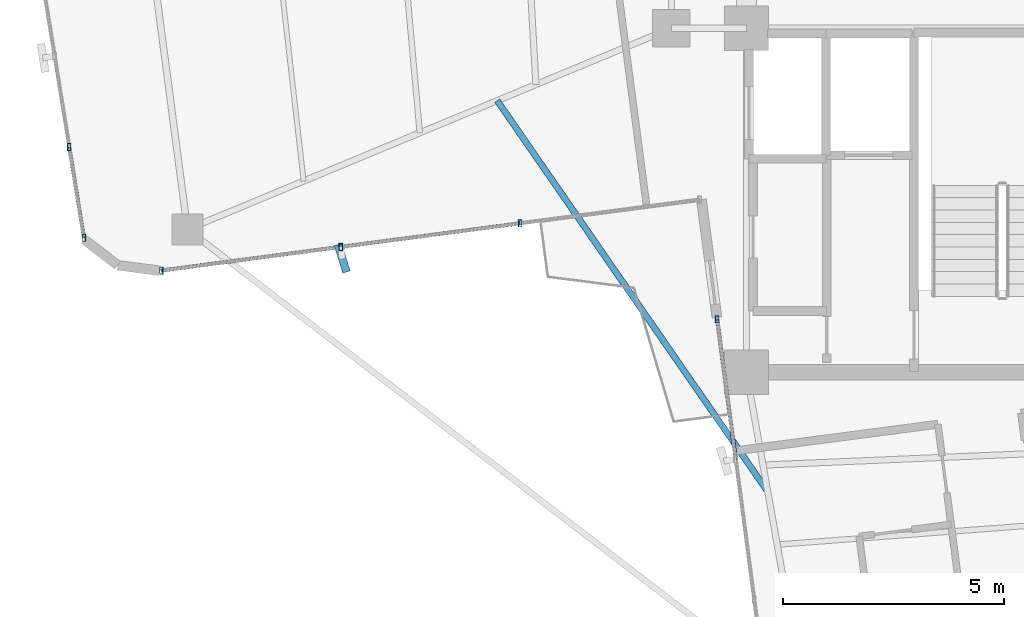
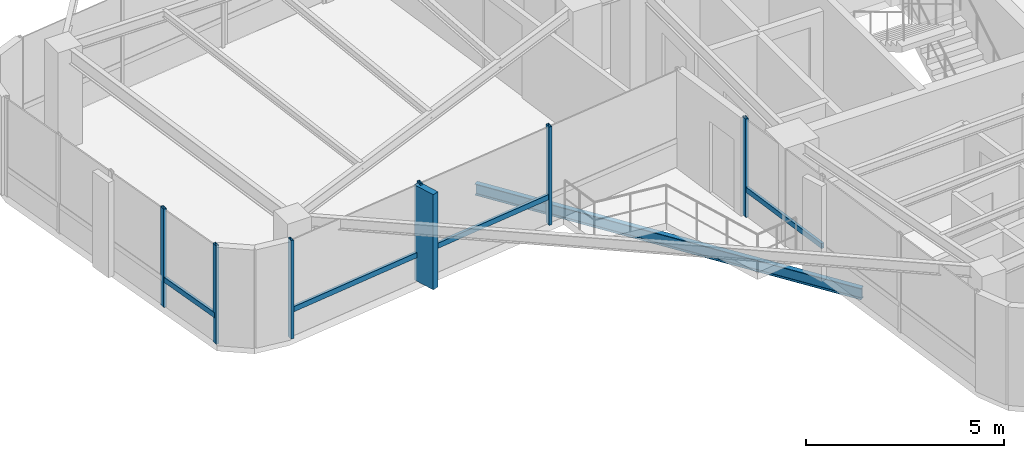
# One storey, part 2 of 22: 11 members, 1 beam, 3 elements without a shape of their own.
"""IFC4 building model written with IfcOpenShell, lengths in metres."""

from ifc_helpers import new_model, si_unit, direction, frame, origin, origin_2d, place, context, subcontext, project, spatial, rectangle, hollow_rectangle, i_section, extrude, source, transform, mapped, material, material_profile, profile_set, type_object, element, aggregate, save


model = new_model("IFC4")

# Units and contexts
model_context = context("Model", 3, precision=1e-05, world=origin(), true_north=direction((0.0, 1.0)))
body_context = subcontext(model_context, "Body", "Model", "MODEL_VIEW")
ifc_project = project(units=[si_unit("LENGTHUNIT", "METRE"), si_unit("AREAUNIT", "SQUARE_METRE"), si_unit("VOLUMEUNIT", "CUBIC_METRE"), si_unit("PLANEANGLEUNIT", "RADIAN"), si_unit("MASSUNIT", "GRAM", prefix="KILO")], contexts=[model_context])

# Site, building, storey
site_placement = place(None, origin())
site = spatial("IfcSite", under=ifc_project, at=site_placement, CompositionType="ELEMENT")
building_placement = place(site_placement, origin())
building = spatial("IfcBuilding", under=site, at=building_placement, Name="Sahyath Konkavel Grand Hotel", CompositionType="ELEMENT")
storey_placement = place(building_placement, frame((0.0, 0.0, 261.25)))
storey = spatial("IfcBuildingStorey", under=building, at=storey_placement, Name="L73", CompositionType="ELEMENT", Elevation=261.25)

# Curtain wall, members
ifc_material_1 = material(Name="Anodised Bronze Aluminium & Low-E Glazing", Category="aluminium")
curtain_wall_type = type_object("IfcCurtainWallType", Name="CW-ZONE4", PredefinedType="NOTDEFINED", material=ifc_material_1)
curtain_wall_1_placement = place(storey_placement, origin())
curtain_wall_1 = element("IfcCurtainWall", 1, at=curtain_wall_1_placement, inside=storey, type_object=curtain_wall_type, Name="L73 Unitised Curtain Wall F20", PredefinedType="NOTDEFINED")
ifc_material_2 = material(Name="Anodised Bronze Aluminium", Category="aluminium")
ifc_material_profile_1 = material_profile(ifc_material_2, hollow_rectangle(XDim=0.080078125, YDim=0.159912109375, WallThickness=0.006103515625, at=origin_2d()), Name="RHS 160x80x6")
ifc_profile_set_1 = profile_set([ifc_material_profile_1], Name="Anodised Bronze Aluminium")
member_type_1 = type_object("IfcMemberType", Name="CW-MUL-160", PredefinedType="MULLION", material=ifc_profile_set_1)
shared_shape_1 = source(origin(), body_context, "Body", "SweptSolid", [
    extrude(hollow_rectangle(XDim=0.080078125, YDim=0.159912109375, WallThickness=0.006103515625, at=origin_2d()), origin(), (0.0, 0.0, 1.0), 3.030029296875),
])
member_1_placement = place(storey_placement, frame((-19.15380859375, -5.09228515625, 0.0), z_axis=(0.0, 0.0, 1.0), x_axis=(1.0, 0.0, 0.0)))
member_1 = element("IfcMember", 2, at=member_1_placement, type_object=member_type_1, Name="L73 Curtain Wall Mullion F20-3", PredefinedType="MULLION", context=body_context, shape_type="MappedRepresentation", body=[
    mapped(shared_shape_1, transform((0.0, 0.0, 0.0), scale=1.0)),
])
member_2_placement = place(storey_placement, frame((-18.82080078125, -7.15283203125, 0.0), z_axis=(0.0, 0.0, 1.0), x_axis=(1.0, 0.0, 0.0)))
member_2 = element("IfcMember", 3, at=member_2_placement, type_object=member_type_1, Name="L73 Curtain Wall Mullion F20-4", PredefinedType="MULLION", context=body_context, shape_type="MappedRepresentation", body=[
    mapped(shared_shape_1, transform((0.0, 0.0, 0.0), scale=1.0)),
])

curtain_wall_2_placement = place(storey_placement, origin())
curtain_wall_2 = element("IfcCurtainWall", 4, at=curtain_wall_2_placement, inside=storey, type_object=curtain_wall_type, Name="L73 Unitised Curtain Wall F23", PredefinedType="NOTDEFINED")
member_3_placement = place(storey_placement, frame((-17.0654296875, -7.89501953125, 0.0), z_axis=(0.0, 0.0, 1.0), x_axis=(1.0, 0.0, 0.0)))
member_3 = element("IfcMember", 5, at=member_3_placement, type_object=member_type_1, Name="L73 Curtain Wall Mullion F23-0", PredefinedType="MULLION", context=body_context, shape_type="MappedRepresentation", body=[
    mapped(shared_shape_1, transform((0.0, 0.0, 0.0), scale=1.0)),
])
member_4_placement = place(storey_placement, frame((-12.997314453125, -7.359619140625, 0.0), z_axis=(0.0, 0.0, 1.0), x_axis=(1.0, 0.0, 0.0)))
member_4 = element("IfcMember", 6, at=member_4_placement, type_object=member_type_1, Name="L73 Curtain Wall Mullion F23-1", PredefinedType="MULLION", context=body_context, shape_type="MappedRepresentation", body=[
    mapped(shared_shape_1, transform((0.0, 0.0, 0.0), scale=1.0)),
])
member_5_placement = place(storey_placement, frame((-8.928955078125, -6.82373046875, 0.0), z_axis=(0.0, 0.0, 1.0), x_axis=(1.0, 0.0, 0.0)))
member_5 = element("IfcMember", 7, at=member_5_placement, type_object=member_type_1, Name="L73 Curtain Wall Mullion F23-2", PredefinedType="MULLION", context=body_context, shape_type="MappedRepresentation", body=[
    mapped(shared_shape_1, transform((0.0, 0.0, 0.0), scale=1.0)),
])

# Curtain wall, member
curtain_wall_3_placement = place(storey_placement, origin())
curtain_wall_3 = element("IfcCurtainWall", 8, at=curtain_wall_3_placement, inside=storey, type_object=curtain_wall_type, Name="L73 Unitised Curtain Wall F24", PredefinedType="NOTDEFINED")
member_6_placement = place(storey_placement, frame((-4.46337890625, -8.99951171875, 0.0), z_axis=(0.0, 0.0, 1.0), x_axis=(1.0, 0.0, 0.0)))
member_6 = element("IfcMember", 9, at=member_6_placement, type_object=member_type_1, Name="L73 Curtain Wall Mullion F24-0", PredefinedType="MULLION", context=body_context, shape_type="MappedRepresentation", body=[
    mapped(shared_shape_1, transform((0.0, 0.0, 0.0), scale=1.0)),
])

# Member
ifc_material_3 = material(Name="Warm Buff Sandstone Cladding on Concrete C50/60", Category="masonry")
ifc_material_profile_2 = material_profile(ifc_material_3, rectangle(XDim=0.179931640625, YDim=0.64990234375, at=origin_2d()), Name="FIN 180x650")
ifc_profile_set_2 = profile_set([ifc_material_profile_2], Name="Warm Buff Sandstone Cladding on Concrete C50/60")
member_type_2 = type_object("IfcMemberType", Name="FIN-SANDSTONE-650", PredefinedType="MULLION", material=ifc_profile_set_2)
shared_shape_2 = source(origin(), body_context, "Body", "SweptSolid", [
    extrude(rectangle(XDim=0.179931640625, YDim=0.64990234375, at=origin_2d()), origin(), (0.0, 0.0, 1.0), 2.929931640625),
])
member_7_placement = place(storey_placement, frame((-12.96337890625, -7.6171875, 0.050048828125), z_axis=(0.0, 0.0, 1.0), x_axis=(0.954812686667, 0.297208232354, 0.0)))
member_7 = element("IfcMember", 10, at=member_7_placement, type_object=member_type_2, Name="L73 Sandstone Vertical Solar Fin FIN F23-1", PredefinedType="MULLION", context=body_context, shape_type="MappedRepresentation", body=[
    mapped(shared_shape_2, transform((0.0, 0.0, 0.0), scale=1.0)),
])

ifc_material_profile_3 = material_profile(ifc_material_2, hollow_rectangle(XDim=0.080078125, YDim=0.159912109375, WallThickness=0.006103515625, at=origin_2d()), Name="RHS 160x80x6")
ifc_profile_set_3 = profile_set([ifc_material_profile_3], Name="Anodised Bronze Aluminium")
member_type_3 = type_object("IfcMemberType", Name="CW-TRN-160", PredefinedType="USERDEFINED", material=ifc_profile_set_3)
shared_shape_3 = source(origin(), body_context, "Body", "SweptSolid", [
    extrude(hollow_rectangle(XDim=0.080078125, YDim=0.159912109375, WallThickness=0.006103515625, at=origin_2d()), origin(), (0.0, 0.0, 1.0), 3.203369140625),
])
member_8_placement = place(storey_placement, frame((-4.46337890625, -8.99951171875, 0.85009765625), z_axis=(0.130476198668, -0.991451441867, 0.0), x_axis=(0.991451441867, 0.130476198668, 0.0)))
member_8 = element("IfcMember", 11, at=member_8_placement, type_object=member_type_3, Name="L73 Curtain Wall Transom F24-0-spandrel", ObjectType="TRANSOM", PredefinedType="USERDEFINED", context=body_context, shape_type="MappedRepresentation", body=[
    mapped(shared_shape_3, transform((0.0, 0.0, 0.0), scale=1.0)),
])

aggregate(curtain_wall_3, [member_6, member_8])

shared_shape_4 = source(origin(), body_context, "Body", "SweptSolid", [
    extrude(hollow_rectangle(XDim=0.080078125, YDim=0.159912109375, WallThickness=0.006103515625, at=origin_2d()), origin(), (0.0, 0.0, 1.0), 2.08740234375),
])
member_9_placement = place(storey_placement, frame((-19.15380859375, -5.09228515625, 0.85009765625), z_axis=(0.159541334591, -0.98719124923, 0.0), x_axis=(0.98719124923, 0.159541334591, 0.0)))
member_9 = element("IfcMember", 12, at=member_9_placement, type_object=member_type_3, Name="L73 Curtain Wall Transom F20-3-spandrel", ObjectType="TRANSOM", PredefinedType="USERDEFINED", context=body_context, shape_type="MappedRepresentation", body=[
    mapped(shared_shape_4, transform((0.0, 0.0, 0.0), scale=1.0)),
])

aggregate(curtain_wall_1, [member_1, member_2, member_9])

shared_shape_5 = source(origin(), body_context, "Body", "SweptSolid", [
    extrude(hollow_rectangle(XDim=0.080078125, YDim=0.159912109375, WallThickness=0.006103515625, at=origin_2d()), origin(), (0.0, 0.0, 1.0), 4.103271484375),
])
member_10_placement = place(storey_placement, frame((-17.0654296875, -7.89501953125, 0.85009765625), z_axis=(0.991450447248, 0.130483756275, 0.0), x_axis=(-0.130483756275, 0.991450447248, 0.0)))
member_10 = element("IfcMember", 13, at=member_10_placement, type_object=member_type_3, Name="L73 Curtain Wall Transom F23-0-spandrel", ObjectType="TRANSOM", PredefinedType="USERDEFINED", context=body_context, shape_type="MappedRepresentation", body=[
    mapped(shared_shape_5, transform((0.0, 0.0, 0.0), scale=1.0)),
])

shared_shape_6 = source(origin(), body_context, "Body", "SweptSolid", [
    extrude(hollow_rectangle(XDim=0.080078125, YDim=0.159912109375, WallThickness=0.006103515625, at=origin_2d()), origin(), (0.0, 0.0, 1.0), 4.103515625),
])
member_11_placement = place(storey_placement, frame((-12.997314453125, -7.359619140625, 0.85009765625), z_axis=(0.991436060505, 0.130593024052, 0.0), x_axis=(-0.130593024052, 0.991436060505, 0.0)))
member_11 = element("IfcMember", 14, at=member_11_placement, type_object=member_type_3, Name="L73 Curtain Wall Transom F23-1-spandrel", ObjectType="TRANSOM", PredefinedType="USERDEFINED", context=body_context, shape_type="MappedRepresentation", body=[
    mapped(shared_shape_6, transform((0.0, 0.0, 0.0), scale=1.0)),
])

aggregate(curtain_wall_2, [member_3, member_4, member_7, member_5, member_10, member_11])

# Beam
ifc_material_4 = material(Name="Steel E350", Category="steel")
ifc_material_profile_4 = material_profile(ifc_material_4, i_section(OverallWidth=0.139892578125, OverallDepth=0.35009765625, WebThickness=0.008056640625, FlangeThickness=0.01416015625, FilletRadius=0.013916015625, at=origin_2d()), Name="ISMB 350")
ifc_profile_set_4 = profile_set([ifc_material_profile_4], Name="Steel E350")
beam_type = type_object("IfcBeamType", Name="BM-BALC-CANT", PredefinedType="BEAM", material=ifc_profile_set_4)
shared_shape_7 = source(origin(), body_context, "Body", "SweptSolid", [
    extrude(i_section(OverallWidth=0.139892578125, OverallDepth=0.35009765625, WebThickness=0.008056640625, FlangeThickness=0.01416015625, FilletRadius=0.013916015625, at=origin_2d()), origin(), (0.0, 0.0, 1.0), 10.778076171875),
])
beam_placement = place(storey_placement, frame((-9.4501953125, -4.04150390625, -0.4150390625), z_axis=(0.569013254295, -0.822328350743, 0.0), x_axis=(0.822328350743, 0.569013254295, 0.0)))
element("IfcBeam", 15, at=beam_placement, inside=storey, type_object=beam_type, Name="L73 Balcony Cantilever Support Beam SW", PredefinedType="BEAM", context=body_context, shape_type="MappedRepresentation", body=[
    mapped(shared_shape_7, transform((0.0, 0.0, 0.0), scale=1.0)),
])

save(model, "model.ifc")
